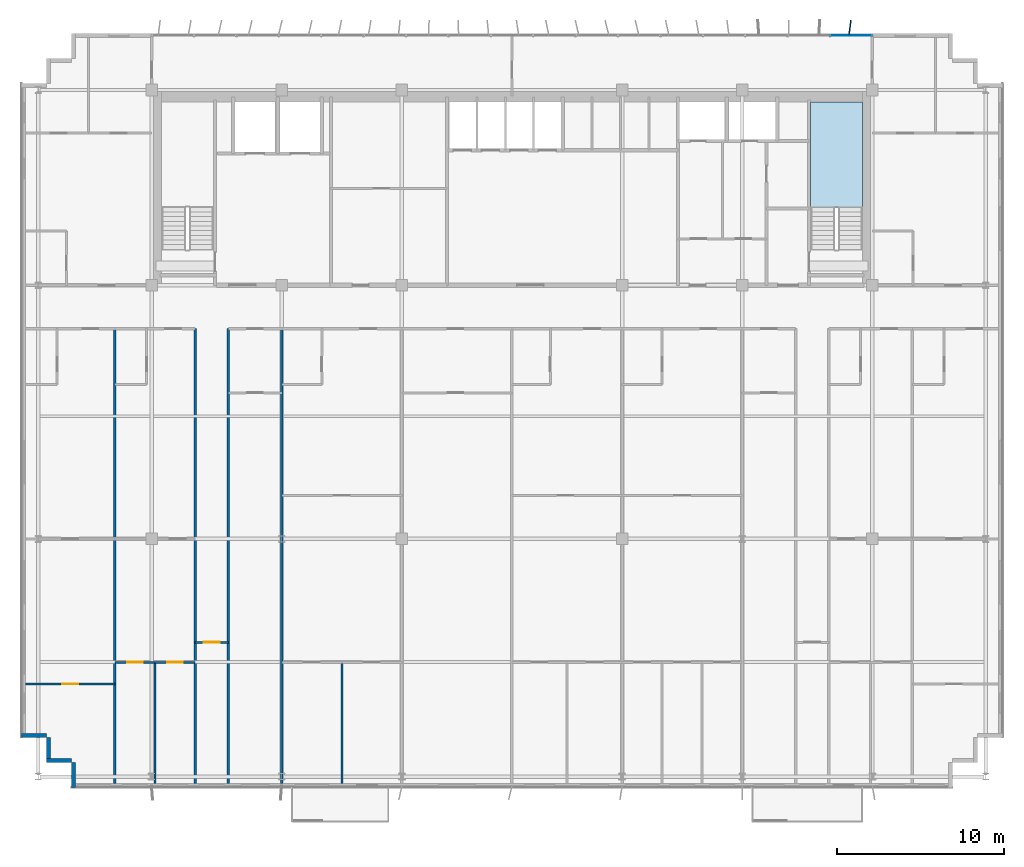
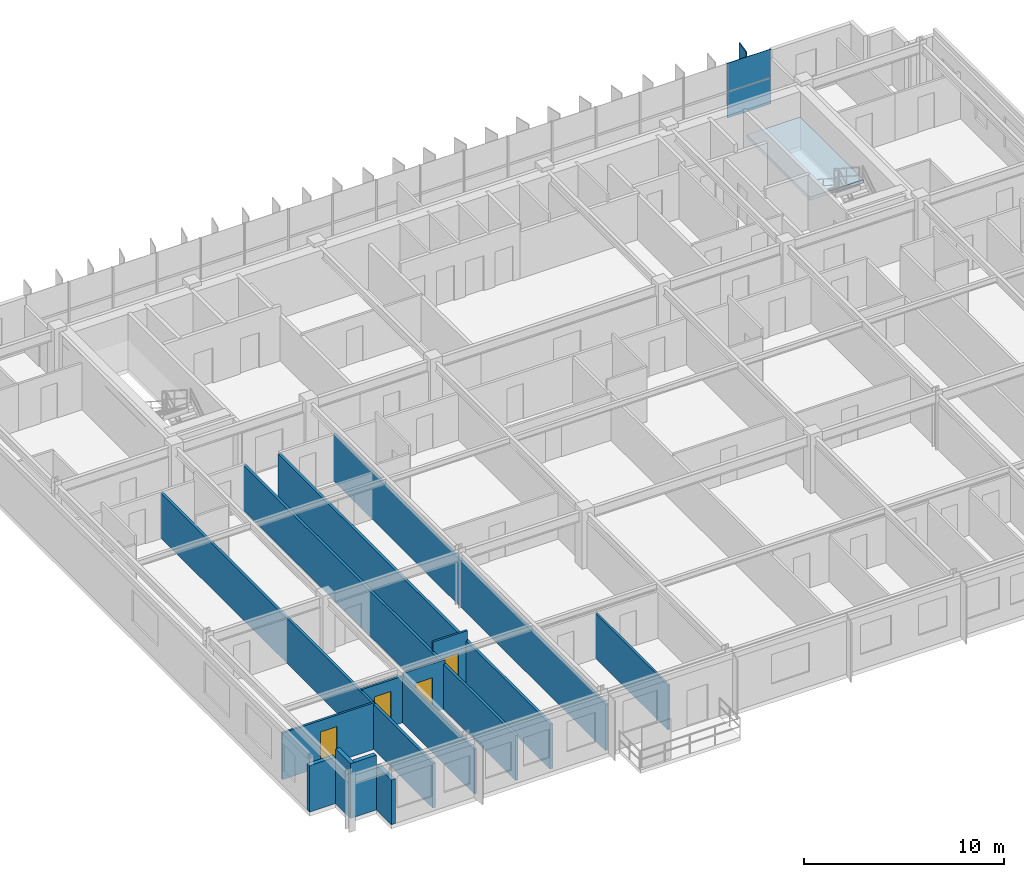
# One storey, part 14 of 22: 14 walls, 4 doors, 3 plates, 1 slab, 4 openings, 2 elements without a shape of their own.
"""IFC4 building model written with IfcOpenShell, lengths in metres."""

from ifc_helpers import new_model, si_unit, direction, frame, frame_2d, origin, origin_2d, place, context, subcontext, project, spatial, polyline, rectangle, outline, extrude, source, transform, mapped, material, layer, layer_set, type_object, element, fill, aggregate, save


model = new_model("IFC4")

# Units and contexts
model_context = context("Model", 3, precision=1e-05, world=origin(), true_north=direction((0.0, 1.0)))
body_context = subcontext(model_context, "Body", "Model", "MODEL_VIEW")
ifc_project = project(units=[si_unit("LENGTHUNIT", "METRE"), si_unit("AREAUNIT", "SQUARE_METRE"), si_unit("VOLUMEUNIT", "CUBIC_METRE"), si_unit("PLANEANGLEUNIT", "RADIAN"), si_unit("MASSUNIT", "GRAM", prefix="KILO")], contexts=[model_context])

# Site, building, storey
site_placement = place(None, origin())
site = spatial("IfcSite", under=ifc_project, at=site_placement, CompositionType="ELEMENT")
building_placement = place(site_placement, origin())
building = spatial("IfcBuilding", under=site, at=building_placement, Name="Trelvane Seafront Commons", CompositionType="ELEMENT")
storey_placement = place(building_placement, frame((0.0, 0.0, 139.300048828125)))
storey = spatial("IfcBuildingStorey", under=building, at=storey_placement, Name="L36", CompositionType="ELEMENT", Elevation=139.300048828125)

# Stair, slab
ifc_material_1 = material(Name="Concrete C40/50", Category="concrete")
stair_type = type_object("IfcStairType", Name="ARCH-STR-ST-2-R20-180", PredefinedType="HALF_TURN_STAIR", material=ifc_material_1)
stair_placement = place(storey_placement, origin())
stair = element("IfcStair", 1, at=stair_placement, inside=storey, type_object=stair_type, Name="L36 East Protected Firefighting Exit Stair ST-2", PredefinedType="HALF_TURN_STAIR")
ifc_layer_1 = layer(ifc_material_1, 0.199951171875, Name="ARCH-LND-200")
ifc_layer_set_1 = layer_set([ifc_layer_1], Name="Concrete C40/50")
slab_type = type_object("IfcSlabType", Name="ARCH-LND-200", PredefinedType="LANDING", material=ifc_layer_set_1)
slab_placement = place(storey_placement, frame((0.0, 0.0, 1.599853515625)))
slab = element("IfcSlab", 2, at=slab_placement, type_object=slab_type, Name="ST-2 landing 1", PredefinedType="LANDING", context=body_context, shape_type="SweptSolid", body=[
    extrude(outline(polyline([(58.199951171875, 38.070068359375), (58.199951171875, 44.39990234375), (55.10009765625, 44.39990234375), (55.10009765625, 38.070068359375), (58.199951171875, 38.070068359375)])), origin(), (0.0, 0.0, 1.0), 0.2001953125),
])
aggregate(stair, [slab])

# Plate
ifc_material_2 = material(Name="Anodised pale-silver aluminium", Category="aluminium")
ifc_layer_2 = layer(ifc_material_2, 0.06005859375, Name="ARCH-PLATE-FIN900")
ifc_layer_set_2 = layer_set([ifc_layer_2], Name="Anodised pale-silver aluminium")
plate_type_1 = type_object("IfcPlateType", Name="ARCH-PLATE-FIN900", PredefinedType="USERDEFINED", material=ifc_layer_set_2)
shared_shape_1 = source(origin(), body_context, "Body", "SweptSolid", [
    extrude(rectangle(XDim=0.89990234375, YDim=0.06005859375, at=origin_2d()), origin(), (0.0, 0.0, 1.0), 3.639892578125),
])
plate_1_placement = place(storey_placement, frame((57.4560546875, 48.846435546875, -0.02001953125), z_axis=(0.0, 0.0, 1.0), x_axis=(0.12466308867, 0.992199130378, 0.0)))
element("IfcPlate", 3, at=plate_1_placement, inside=storey, type_object=plate_type_1, Name="FIN-L36-00991", ObjectType="FIN", PredefinedType="USERDEFINED", context=body_context, shape_type="MappedRepresentation", body=[
    mapped(shared_shape_1, transform((0.0, 0.0, 0.0), x_axis=(1.0, 0.0, 0.0), y_axis=(0.0, 1.0, 0.0), z_axis=(0.0, 0.0, 1.0), scale=1.0)),
])

# Curtain wall, plates
curtain_wall_type = type_object("IfcCurtainWallType", Name="ARCH-CW5-UPTOWER", PredefinedType="NOTDEFINED", material=ifc_material_2)
curtain_wall_placement = place(storey_placement, origin())
curtain_wall = element("IfcCurtainWall", 4, at=curtain_wall_placement, inside=storey, type_object=curtain_wall_type, Name="CW-L36-0063", PredefinedType="NOTDEFINED")
ifc_material_3 = material(Name="Low-E coastal double glazing", Category="glass")
ifc_layer_3 = layer(ifc_material_3, 0.033935546875, Name="ARCH-CW-GLAZ-34")
ifc_layer_set_3 = layer_set([ifc_layer_3], Name="Low-E coastal double glazing")
plate_type_2 = type_object("IfcPlateType", Name="ARCH-CW-GLAZ-34", PredefinedType="CURTAIN_PANEL", material=ifc_layer_set_3)
shared_shape_2 = source(origin(), body_context, "Body", "SweptSolid", [
    extrude(rectangle(XDim=2.51708984375, YDim=0.033935546875, at=origin_2d()), origin(), (0.0, 0.0, 1.0), 1.590087890625),
])
plate_2_placement = place(storey_placement, frame((57.529296875, 48.3701171875, 0.0), z_axis=(0.0, 0.0, 1.0), x_axis=(1.0, 0.0, 0.0)))
plate_2 = element("IfcPlate", 5, at=plate_2_placement, type_object=plate_type_2, Name="CW-L36-0063-P16-1", PredefinedType="CURTAIN_PANEL", context=body_context, shape_type="MappedRepresentation", body=[
    mapped(shared_shape_2, transform((0.0, 0.0, 0.0), x_axis=(1.0, 0.0, 0.0), y_axis=(0.0, 1.0, 0.0), z_axis=(0.0, 0.0, 1.0), scale=1.0)),
])
shared_shape_3 = source(origin(), body_context, "Body", "SweptSolid", [
    extrude(rectangle(XDim=2.51708984375, YDim=0.033935546875, at=origin_2d()), origin(), (0.0, 0.0, 1.0), 1.72412109375),
])
plate_3_placement = place(storey_placement, frame((57.529296875, 48.3701171875, 1.6259765625), z_axis=(0.0, 0.0, 1.0), x_axis=(1.0, 0.0, 0.0)))
plate_3 = element("IfcPlate", 6, at=plate_3_placement, type_object=plate_type_2, Name="CW-L36-0063-P16-2", PredefinedType="CURTAIN_PANEL", context=body_context, shape_type="MappedRepresentation", body=[
    mapped(shared_shape_3, transform((0.0, 0.0, 0.0), x_axis=(1.0, 0.0, 0.0), y_axis=(0.0, 1.0, 0.0), z_axis=(0.0, 0.0, 1.0), scale=1.0)),
])
aggregate(curtain_wall, [plate_2, plate_3])

# Walls
ifc_material_4 = material(Name="Precast concrete C40/50", Category="concrete")
ifc_layer_4 = layer(ifc_material_4, 0.239990234375, Name="ARCH-WALL-EXT240")
ifc_layer_set_4 = layer_set([ifc_layer_4], Name="Precast concrete C40/50")
wall_type_1 = type_object("IfcWallType", Name="ARCH-WALL-EXT240", PredefinedType="SOLIDWALL", material=ifc_layer_set_4)
for number, where, z_axis, x_axis, name in (
    (7, (10.800048828125, 4.919921875, 0.0), (0.0, 0.0, 1.0), (-1.0, 0.0, 0.0), "EW-L36-00697"),
    (8, (9.419921875, 4.800048828125, 0.0), (0.0, 0.0, 1.0), (0.0, 1.0, 0.0), "EW-L36-00698"),
):
    element("IfcWall", number, at=place(storey_placement, frame(where, z_axis=z_axis, x_axis=x_axis)), inside=storey, type_object=wall_type_1, Name=name, PredefinedType="SOLIDWALL", context=body_context, shape_type="SweptSolid", body=[
        extrude(rectangle(XDim=1.5, YDim=0.239990234375, at=frame_2d((0.75, 0.0))), origin(), (0.0, 0.0, 1.0), 3.349853515625),
    ])
wall_1_placement = place(storey_placement, frame((9.300048828125, 6.419921875, 0.0), z_axis=(0.0, 0.0, 1.0), x_axis=(-1.0, 0.0, 0.0)))
element("IfcWall", 9, at=wall_1_placement, inside=storey, type_object=wall_type_1, Name="EW-L36-00699", PredefinedType="SOLIDWALL", context=body_context, shape_type="SweptSolid", body=[
    extrude(rectangle(XDim=1.5, YDim=0.239990234375, at=frame_2d((0.75, 0.0))), origin(), (0.0, 0.0, 1.0), 2.849853515625),
])
wall_2_placement = place(storey_placement, frame((10.919921875, 3.300048828125, 0.0), z_axis=(0.0, 0.0, 1.0), x_axis=(0.0, 1.0, 0.0)))
element("IfcWall", 10, at=wall_2_placement, inside=storey, type_object=wall_type_1, Name="EW-L36-00715", PredefinedType="SOLIDWALL", context=body_context, shape_type="SweptSolid", body=[
    extrude(rectangle(XDim=1.5, YDim=0.239990234375, at=frame_2d((0.75, 0.0))), origin(), (0.0, 0.0, 1.0), 2.75),
])

# Wall, opening, door
ifc_material_5 = material(Name="Gypsum Drywall Acoustic Partition")
ifc_layer_5 = layer(ifc_material_5, 0.1201171875, Name="ARCH-WALL-PART120")
ifc_layer_set_5 = layer_set([ifc_layer_5], Name="Gypsum Drywall Acoustic Partition")
wall_type_2 = type_object("IfcWallType", Name="ARCH-WALL-PART120", PredefinedType="PARTITIONING", material=ifc_layer_set_5)
wall_3_placement = place(storey_placement, frame((8.0400390625, 9.5, 0.0), z_axis=(0.0, 0.0, 1.0), x_axis=(1.0, 0.0, 0.0)))
wall_3 = element("IfcWall", 11, at=wall_3_placement, inside=storey, type_object=wall_type_2, Name="W-L36-U1-YM-1-062", PredefinedType="PARTITIONING", context=body_context, shape_type="SweptSolid", body=[
    extrude(rectangle(XDim=5.35986328125, YDim=0.1201171875, at=frame_2d((2.679931640625, 0.0))), origin(), (0.0, 0.0, 1.0), 2.849853515625),
])
opening_1_placement = place(wall_3_placement, frame((2.205078125, 0.0, 0.0)))
opening_1 = element("IfcOpeningElement", 12, at=opening_1_placement, cuts=wall_3, Name="Opening D-L36-34", PredefinedType="OPENING", context=body_context, shape_type="SweptSolid", body=[
    extrude(rectangle(XDim=0.949951171875, YDim=2.14990234375, at=frame_2d((0.47509765625, 1.074951171875))), frame((0.0, 0.070068359375, 0.0), z_axis=(0.0, -1.0, 0.0), x_axis=(1.0, 0.0, 0.0)), (0.0, 0.0, 1.0), 0.14013671875),
])
ifc_material_6 = material(Name="Acoustic timber door leaf", Category="wood")
door_type = type_object("IfcDoorType", Name="ARCH-DR-INT950", OperationType="NOTDEFINED", PredefinedType="DOOR", material=ifc_material_6)
shared_shape_4 = source(origin(), body_context, "Body", "SweptSolid", [
    extrude(rectangle(XDim=0.949951171875, YDim=2.14990234375, at=frame_2d((0.47509765625, 1.074951171875))), frame((0.0, 0.02490234375, 0.0), z_axis=(0.0, -1.0, 0.0), x_axis=(1.0, 0.0, 0.0)), (0.0, 0.0, 1.0), 0.050048828125),
])
door_1_placement = place(opening_1_placement, origin())
door_1 = element("IfcDoor", 13, at=door_1_placement, inside=storey, type_object=door_type, Name="L36 Door 34", OperationType="SINGLE_SWING_RIGHT", OverallHeight=2.14990234375, OverallWidth=0.949951171875, PredefinedType="DOOR", context=body_context, shape_type="MappedRepresentation", body=[
    mapped(shared_shape_4, transform((0.0, 0.0, 0.0), x_axis=(1.0, 0.0, 0.0), y_axis=(0.0, 1.0, 0.0), z_axis=(0.0, 0.0, 1.0), scale=1.0)),
])
fill(opening_1, door_1)

wall_4_placement = place(storey_placement, frame((13.39990234375, 10.800048828125, 0.0), z_axis=(0.0, 0.0, 1.0), x_axis=(1.0, 0.0, 0.0)))
wall_4 = element("IfcWall", 14, at=wall_4_placement, inside=storey, type_object=wall_type_2, Name="W-L36-U2-YM-1-067", PredefinedType="PARTITIONING", context=body_context, shape_type="SweptSolid", body=[
    extrude(rectangle(XDim=2.400146484375, YDim=0.1201171875, at=frame_2d((1.2001953125, 0.0))), origin(), (0.0, 0.0, 1.0), 2.849853515625),
])
opening_2_placement = place(wall_4_placement, frame((0.72509765625, 0.0, 0.0)))
opening_2 = element("IfcOpeningElement", 15, at=opening_2_placement, cuts=wall_4, Name="Opening D-L36-38", PredefinedType="OPENING", context=body_context, shape_type="SweptSolid", body=[
    extrude(rectangle(XDim=0.949951171875, YDim=2.14990234375, at=frame_2d((0.47509765625, 1.074951171875))), frame((0.0, 0.070068359375, 0.0), z_axis=(0.0, -1.0, 0.0), x_axis=(1.0, 0.0, 0.0)), (0.0, 0.0, 1.0), 0.14013671875),
])
door_2_placement = place(opening_2_placement, origin())
door_2 = element("IfcDoor", 16, at=door_2_placement, inside=storey, type_object=door_type, Name="L36 Door 38", OperationType="SINGLE_SWING_RIGHT", OverallHeight=2.14990234375, OverallWidth=0.949951171875, PredefinedType="DOOR", context=body_context, shape_type="MappedRepresentation", body=[
    mapped(shared_shape_4, transform((0.0, 0.0, 0.0), x_axis=(1.0, 0.0, 0.0), y_axis=(0.0, 1.0, 0.0), z_axis=(0.0, 0.0, 1.0), scale=1.0)),
])
fill(opening_2, door_2)

wall_5_placement = place(storey_placement, frame((15.800048828125, 10.800048828125, 0.0), z_axis=(0.0, 0.0, 1.0), x_axis=(1.0, 0.0, 0.0)))
wall_5 = element("IfcWall", 17, at=wall_5_placement, inside=storey, type_object=wall_type_2, Name="W-L36-U2-YM-2-068", PredefinedType="PARTITIONING", context=body_context, shape_type="SweptSolid", body=[
    extrude(rectangle(XDim=2.39990234375, YDim=0.1201171875, at=frame_2d((1.199951171875, 0.0))), origin(), (0.0, 0.0, 1.0), 3.0),
])
opening_3_placement = place(wall_5_placement, frame((0.72509765625, 0.0, 0.0)))
opening_3 = element("IfcOpeningElement", 18, at=opening_3_placement, cuts=wall_5, Name="Opening D-L36-39", PredefinedType="OPENING", context=body_context, shape_type="SweptSolid", body=[
    extrude(rectangle(XDim=0.949951171875, YDim=2.14990234375, at=frame_2d((0.47509765625, 1.074951171875))), frame((0.0, 0.070068359375, 0.0), z_axis=(0.0, -1.0, 0.0), x_axis=(1.0, 0.0, 0.0)), (0.0, 0.0, 1.0), 0.14013671875),
])
door_3_placement = place(opening_3_placement, origin())
door_3 = element("IfcDoor", 19, at=door_3_placement, inside=storey, type_object=door_type, Name="L36 Door 39", OperationType="SINGLE_SWING_LEFT", OverallHeight=2.14990234375, OverallWidth=0.949951171875, PredefinedType="DOOR", context=body_context, shape_type="MappedRepresentation", body=[
    mapped(shared_shape_4, transform((0.0, 0.0, 0.0), x_axis=(1.0, 0.0, 0.0), y_axis=(0.0, 1.0, 0.0), z_axis=(0.0, 0.0, 1.0), scale=1.0)),
])
fill(opening_3, door_3)

# Wall
wall_6_placement = place(storey_placement, frame((15.800048828125, 3.52490234375, 0.0), z_axis=(0.0, 0.0, 1.0), x_axis=(0.0, 1.0, 0.0)))
element("IfcWall", 20, at=wall_6_placement, inside=storey, type_object=wall_type_2, Name="W-L36-U2-BDV-1-069", PredefinedType="PARTITIONING", context=body_context, shape_type="SweptSolid", body=[
    extrude(rectangle(XDim=7.275146484375, YDim=0.1201171875, at=frame_2d((3.6376953125, 0.0))), origin(), (0.0, 0.0, 1.0), 2.75),
])

# Wall, opening, door
wall_7_placement = place(storey_placement, frame((18.199951171875, 12.0, 0.0), z_axis=(0.0, 0.0, 1.0), x_axis=(1.0, 0.0, 0.0)))
wall_7 = element("IfcWall", 21, at=wall_7_placement, inside=storey, type_object=wall_type_2, Name="W-L36-ARM-END-3-072", PredefinedType="PARTITIONING", context=body_context, shape_type="SweptSolid", body=[
    extrude(rectangle(XDim=2.0, YDim=0.1201171875, at=frame_2d((1.0, 0.0))), origin(), (0.0, 0.0, 1.0), 3.349853515625),
])
opening_4_placement = place(wall_7_placement, frame((0.52001953125, 0.0, 0.0)))
opening_4 = element("IfcOpeningElement", 22, at=opening_4_placement, cuts=wall_7, Name="Opening D-L36-40", PredefinedType="OPENING", context=body_context, shape_type="SweptSolid", body=[
    extrude(rectangle(XDim=0.949951171875, YDim=2.14990234375, at=frame_2d((0.47509765625, 1.074951171875))), frame((0.0, 0.070068359375, 0.0), z_axis=(0.0, -1.0, 0.0), x_axis=(1.0, 0.0, 0.0)), (0.0, 0.0, 1.0), 0.14013671875),
])
door_4_placement = place(opening_4_placement, origin())
door_4 = element("IfcDoor", 23, at=door_4_placement, inside=storey, type_object=door_type, Name="L36 Door 40", OperationType="SINGLE_SWING_RIGHT", OverallHeight=2.14990234375, OverallWidth=0.949951171875, PredefinedType="DOOR", context=body_context, shape_type="MappedRepresentation", body=[
    mapped(shared_shape_4, transform((0.0, 0.0, 0.0), x_axis=(1.0, 0.0, 0.0), y_axis=(0.0, 1.0, 0.0), z_axis=(0.0, 0.0, 1.0), scale=1.0)),
])
fill(opening_4, door_4)

# Walls
wall_8_placement = place(storey_placement, frame((27.0, 3.52490234375, 0.0), z_axis=(0.0, 0.0, 1.0), x_axis=(0.0, 1.0, 0.0)))
element("IfcWall", 24, at=wall_8_placement, inside=storey, type_object=wall_type_2, Name="W-L36-U5-BDV-1-081", PredefinedType="PARTITIONING", context=body_context, shape_type="SweptSolid", body=[
    extrude(rectangle(XDim=7.275146484375, YDim=0.1201171875, at=frame_2d((3.6376953125, 0.0))), origin(), (0.0, 0.0, 1.0), 2.75),
])
ifc_layer_6 = layer(ifc_material_5, 0.14990234375, Name="ARCH-WALL-PART150")
ifc_layer_set_6 = layer_set([ifc_layer_6], Name="Gypsum Drywall Acoustic Partition")
wall_type_3 = type_object("IfcWallType", Name="ARCH-WALL-PART150", PredefinedType="PARTITIONING", material=ifc_layer_set_6)
wall_9_placement = place(storey_placement, frame((13.39990234375, 3.52490234375, 0.0), z_axis=(0.0, 0.0, 1.0), x_axis=(0.0, 1.0, 0.0)))
element("IfcWall", 25, at=wall_9_placement, inside=storey, type_object=wall_type_3, Name="W-L36-PW-1-051", PredefinedType="PARTITIONING", context=body_context, shape_type="SweptSolid", body=[
    extrude(rectangle(XDim=27.275146484375, YDim=0.14990234375, at=frame_2d((13.6376953125, 0.0))), origin(), (0.0, 0.0, 1.0), 2.75),
])
wall_10_placement = place(storey_placement, frame((23.39990234375, 3.52490234375, 0.0), z_axis=(0.0, 0.0, 1.0), x_axis=(0.0, 1.0, 0.0)))
element("IfcWall", 26, at=wall_10_placement, inside=storey, type_object=wall_type_3, Name="W-L36-PW-4-052", PredefinedType="PARTITIONING", context=body_context, shape_type="SweptSolid", body=[
    extrude(rectangle(XDim=27.275146484375, YDim=0.14990234375, at=frame_2d((13.6376953125, 0.0))), origin(), (0.0, 0.0, 1.0), 2.849853515625),
])
for number, where, z_axis, x_axis, name in (
    (27, (18.199951171875, 3.52490234375, 0.0), (0.0, 0.0, 1.0), (0.0, 1.0, 0.0), "W-L36-ARM-W-3-070"),
    (28, (20.199951171875, 3.52490234375, 0.0), (0.0, 0.0, 1.0), (0.0, 1.0, 0.0), "W-L36-ARM-E-3-071"),
):
    element("IfcWall", number, at=place(storey_placement, frame(where, z_axis=z_axis, x_axis=x_axis)), inside=storey, type_object=wall_type_3, Name=name, PredefinedType="PARTITIONING", context=body_context, shape_type="SweptSolid", body=[
        extrude(rectangle(XDim=27.275146484375, YDim=0.14990234375, at=frame_2d((13.6376953125, 0.0))), origin(), (0.0, 0.0, 1.0), 2.75),
    ])

save(model, "model.ifc")
